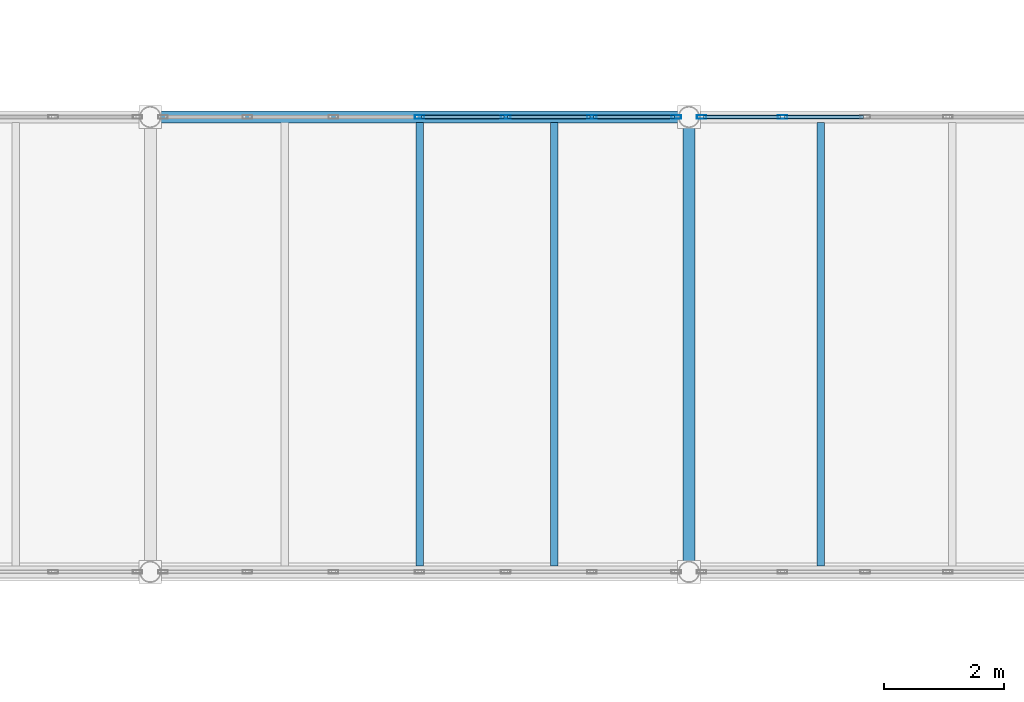
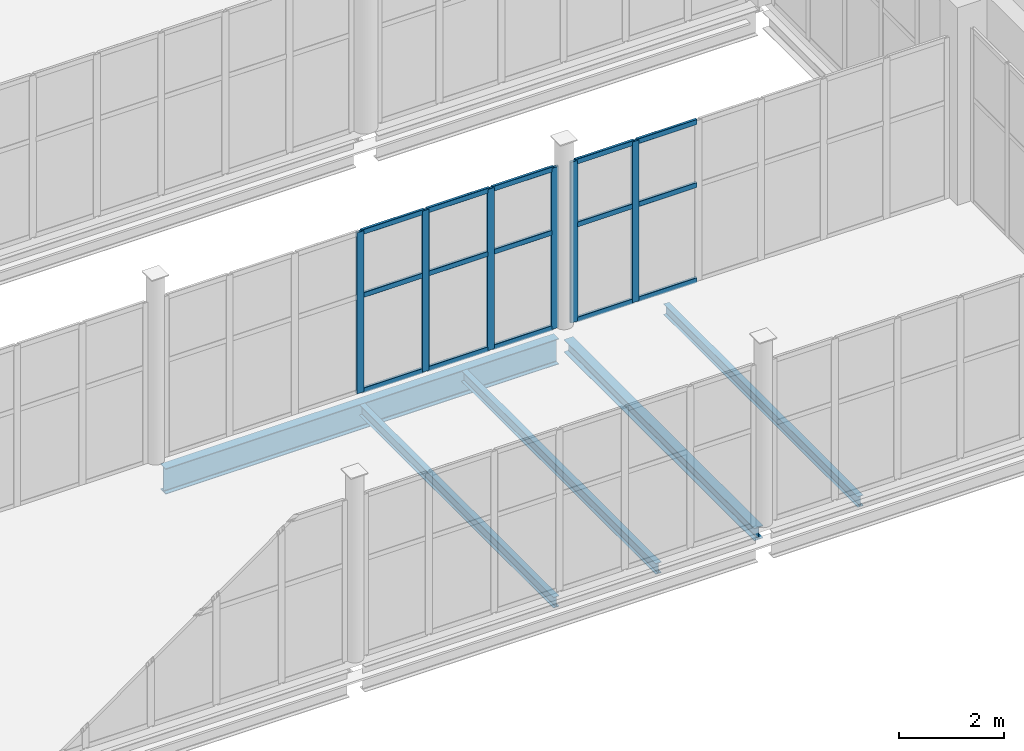
# One storey, part 107 of 172: 21 members, 5 beams, 2 elements without a shape of their own.
"""IFC4 building model written with IfcOpenShell, lengths in metres."""

from ifc_helpers import new_model, si_unit, direction, frame, origin, origin_2d, place, context, subcontext, project, spatial, hollow_rectangle, i_section, extrude, material, material_profile, profile_set, type_object, element, aggregate, save


model = new_model("IFC4")

# Units and contexts
model_context = context("Model", 3, precision=1e-05, world=origin(), true_north=direction((0.0, 1.0)))
body_context = subcontext(model_context, "Body", "Model", "MODEL_VIEW")
ifc_project = project(units=[si_unit("LENGTHUNIT", "METRE"), si_unit("AREAUNIT", "SQUARE_METRE"), si_unit("VOLUMEUNIT", "CUBIC_METRE"), si_unit("PLANEANGLEUNIT", "RADIAN"), si_unit("MASSUNIT", "GRAM", prefix="KILO")], contexts=[model_context])

# Site, building, storey
site_placement = place(None, origin())
site = spatial("IfcSite", under=ifc_project, at=site_placement, CompositionType="ELEMENT")
building_placement = place(site_placement, origin())
building = spatial("IfcBuilding", under=site, at=building_placement, Name="Shengluoqiao Park Theatre", CompositionType="ELEMENT")
storey_placement = place(building_placement, frame((0.0, 0.0, 5.39990234375)))
storey = spatial("IfcBuildingStorey", under=building, at=storey_placement, Name="L01", CompositionType="ELEMENT", Elevation=5.39990234375)

# Curtain wall, members
ifc_material_1 = material(Name="Aluminium 6063-T6", Category="aluminium")
curtain_wall_type = type_object("IfcCurtainWallType", Name="ENV-CW-BRIDGE", PredefinedType="NOTDEFINED", material=ifc_material_1)
curtain_wall_1_placement = place(storey_placement, origin())
curtain_wall_1 = element("IfcCurtainWall", 1, at=curtain_wall_1_placement, inside=storey, type_object=curtain_wall_type, Name="L01 Curtain Wall CWX-L01-0147", PredefinedType="NOTDEFINED")
ifc_material_profile_1 = material_profile(ifc_material_1, hollow_rectangle(XDim=0.06005859375, YDim=0.159912109375, WallThickness=0.00390625, InnerFilletRadius=0.00390625, OuterFilletRadius=0.008056640625, at=origin_2d()), Name="ALU MULLION 160x60x4")
ifc_profile_set_1 = profile_set([ifc_material_profile_1], Name="Aluminium 6063-T6")
member_type_1 = type_object("IfcMemberType", Name="ENV-MUL-160", PredefinedType="MULLION", material=ifc_profile_set_1)
member_1_placement = place(storey_placement, frame((143.89990234375, 60.800048828125, 0.0), z_axis=(0.0, 0.0, 1.0), x_axis=(0.0, 1.0, 0.0)))
member_1 = element("IfcMember", 2, at=member_1_placement, type_object=member_type_1, Name="CW-03 mullion 4", PredefinedType="MULLION", context=body_context, shape_type="SweptSolid", body=[
    extrude(hollow_rectangle(XDim=0.06005859375, YDim=0.159912109375, WallThickness=0.00390625, InnerFilletRadius=0.00390625, OuterFilletRadius=0.008056640625, at=origin_2d()), origin(), (0.0, 0.0, 1.0), 3.752197265625),
])
member_2_placement = place(storey_placement, frame((145.33935546875, 60.800048828125, 0.0), z_axis=(0.0, 0.0, 1.0), x_axis=(0.0, 1.0, 0.0)))
member_2 = element("IfcMember", 3, at=member_2_placement, type_object=member_type_1, Name="CW-03 mullion 5", PredefinedType="MULLION", context=body_context, shape_type="SweptSolid", body=[
    extrude(hollow_rectangle(XDim=0.06005859375, YDim=0.159912109375, WallThickness=0.00390625, InnerFilletRadius=0.00390625, OuterFilletRadius=0.008056640625, at=origin_2d()), origin(), (0.0, 0.0, 1.0), 3.752197265625),
])
member_3_placement = place(storey_placement, frame((146.778564453125, 60.800048828125, 0.0), z_axis=(0.0, 0.0, 1.0), x_axis=(0.0, 1.0, 0.0)))
member_3 = element("IfcMember", 4, at=member_3_placement, type_object=member_type_1, Name="CW-03 mullion 6", PredefinedType="MULLION", context=body_context, shape_type="SweptSolid", body=[
    extrude(hollow_rectangle(XDim=0.06005859375, YDim=0.159912109375, WallThickness=0.00390625, InnerFilletRadius=0.00390625, OuterFilletRadius=0.008056640625, at=origin_2d()), origin(), (0.0, 0.0, 1.0), 3.752197265625),
])
member_4_placement = place(storey_placement, frame((148.18798828125, 60.800048828125, 0.0), z_axis=(0.0, 0.0, 1.0), x_axis=(0.0, 1.0, 0.0)))
member_4 = element("IfcMember", 5, at=member_4_placement, type_object=member_type_1, Name="CW-03 mullion 7", PredefinedType="MULLION", context=body_context, shape_type="SweptSolid", body=[
    extrude(hollow_rectangle(XDim=0.06005859375, YDim=0.159912109375, WallThickness=0.00390625, InnerFilletRadius=0.00390625, OuterFilletRadius=0.008056640625, at=origin_2d()), origin(), (0.0, 0.0, 1.0), 3.752197265625),
])

curtain_wall_2_placement = place(storey_placement, origin())
curtain_wall_2 = element("IfcCurtainWall", 6, at=curtain_wall_2_placement, inside=storey, type_object=curtain_wall_type, Name="L01 Curtain Wall CWX-L01-0148", PredefinedType="NOTDEFINED")
member_5_placement = place(storey_placement, frame((148.612060546875, 60.800048828125, 0.0), z_axis=(0.0, 0.0, 1.0), x_axis=(0.0, 1.0, 0.0)))
member_5 = element("IfcMember", 7, at=member_5_placement, type_object=member_type_1, Name="CW-03 mullion 1", PredefinedType="MULLION", context=body_context, shape_type="SweptSolid", body=[
    extrude(hollow_rectangle(XDim=0.06005859375, YDim=0.159912109375, WallThickness=0.00390625, InnerFilletRadius=0.00390625, OuterFilletRadius=0.008056640625, at=origin_2d()), origin(), (0.0, 0.0, 1.0), 3.7421875),
])
member_6_placement = place(storey_placement, frame((149.96337890625, 60.800048828125, 0.0), z_axis=(0.0, 0.0, 1.0), x_axis=(0.0, 1.0, 0.0)))
member_6 = element("IfcMember", 8, at=member_6_placement, type_object=member_type_1, Name="CW-03 mullion 2", PredefinedType="MULLION", context=body_context, shape_type="SweptSolid", body=[
    extrude(hollow_rectangle(XDim=0.06005859375, YDim=0.159912109375, WallThickness=0.00390625, InnerFilletRadius=0.00390625, OuterFilletRadius=0.008056640625, at=origin_2d()), origin(), (0.0, 0.0, 1.0), 3.7421875),
])

# Member
ifc_material_profile_2 = material_profile(ifc_material_1, hollow_rectangle(XDim=0.06005859375, YDim=0.1201171875, WallThickness=0.00390625, InnerFilletRadius=0.00390625, OuterFilletRadius=0.008056640625, at=origin_2d()), Name="ALU TRANSOM 120x60x4")
ifc_profile_set_2 = profile_set([ifc_material_profile_2], Name="Aluminium 6063-T6")
member_type_2 = type_object("IfcMemberType", Name="ENV-TRN-120", PredefinedType="USERDEFINED", material=ifc_profile_set_2)
member_7_placement = place(storey_placement, frame((143.929931640625, 60.800048828125, 0.030029296875), z_axis=(1.0, 0.0, 0.0), x_axis=(0.0, 1.0, 0.0)))
member_7 = element("IfcMember", 9, at=member_7_placement, type_object=member_type_2, Name="CW-03 transom 4.1", ObjectType="TRANSOM", PredefinedType="USERDEFINED", context=body_context, shape_type="SweptSolid", body=[
    extrude(hollow_rectangle(XDim=0.06005859375, YDim=0.1201171875, WallThickness=0.00390625, InnerFilletRadius=0.00390625, OuterFilletRadius=0.008056640625, at=origin_2d()), origin(), (0.0, 0.0, 1.0), 1.37939453125),
])

member_8_placement = place(storey_placement, frame((143.929931640625, 60.800048828125, 2.2509765625), z_axis=(1.0, 0.0, 0.0), x_axis=(0.0, 1.0, 0.0)))
member_8 = element("IfcMember", 10, at=member_8_placement, type_object=member_type_2, Name="CW-03 transom 4.2", ObjectType="TRANSOM", PredefinedType="USERDEFINED", context=body_context, shape_type="SweptSolid", body=[
    extrude(hollow_rectangle(XDim=0.06005859375, YDim=0.1201171875, WallThickness=0.00390625, InnerFilletRadius=0.00390625, OuterFilletRadius=0.008056640625, at=origin_2d()), origin(), (0.0, 0.0, 1.0), 1.37939453125),
])

member_9_placement = place(storey_placement, frame((143.929931640625, 60.800048828125, 3.72216796875), z_axis=(1.0, 0.0, 0.0), x_axis=(0.0, 1.0, 0.0)))
member_9 = element("IfcMember", 11, at=member_9_placement, type_object=member_type_2, Name="CW-03 transom 4.3", ObjectType="TRANSOM", PredefinedType="USERDEFINED", context=body_context, shape_type="SweptSolid", body=[
    extrude(hollow_rectangle(XDim=0.06005859375, YDim=0.1201171875, WallThickness=0.00390625, InnerFilletRadius=0.00390625, OuterFilletRadius=0.008056640625, at=origin_2d()), origin(), (0.0, 0.0, 1.0), 1.37939453125),
])

member_10_placement = place(storey_placement, frame((145.369384765625, 60.800048828125, 0.030029296875), z_axis=(1.0, 0.0, 0.0), x_axis=(0.0, 1.0, 0.0)))
member_10 = element("IfcMember", 12, at=member_10_placement, type_object=member_type_2, Name="CW-03 transom 5.1", ObjectType="TRANSOM", PredefinedType="USERDEFINED", context=body_context, shape_type="SweptSolid", body=[
    extrude(hollow_rectangle(XDim=0.06005859375, YDim=0.1201171875, WallThickness=0.00390625, InnerFilletRadius=0.00390625, OuterFilletRadius=0.008056640625, at=origin_2d()), origin(), (0.0, 0.0, 1.0), 1.37939453125),
])

member_11_placement = place(storey_placement, frame((145.369384765625, 60.800048828125, 2.2509765625), z_axis=(1.0, 0.0, 0.0), x_axis=(0.0, 1.0, 0.0)))
member_11 = element("IfcMember", 13, at=member_11_placement, type_object=member_type_2, Name="CW-03 transom 5.2", ObjectType="TRANSOM", PredefinedType="USERDEFINED", context=body_context, shape_type="SweptSolid", body=[
    extrude(hollow_rectangle(XDim=0.06005859375, YDim=0.1201171875, WallThickness=0.00390625, InnerFilletRadius=0.00390625, OuterFilletRadius=0.008056640625, at=origin_2d()), origin(), (0.0, 0.0, 1.0), 1.37939453125),
])

member_12_placement = place(storey_placement, frame((145.369384765625, 60.800048828125, 3.72216796875), z_axis=(1.0, 0.0, 0.0), x_axis=(0.0, 1.0, 0.0)))
member_12 = element("IfcMember", 14, at=member_12_placement, type_object=member_type_2, Name="CW-03 transom 5.3", ObjectType="TRANSOM", PredefinedType="USERDEFINED", context=body_context, shape_type="SweptSolid", body=[
    extrude(hollow_rectangle(XDim=0.06005859375, YDim=0.1201171875, WallThickness=0.00390625, InnerFilletRadius=0.00390625, OuterFilletRadius=0.008056640625, at=origin_2d()), origin(), (0.0, 0.0, 1.0), 1.37939453125),
])

member_13_placement = place(storey_placement, frame((146.80859375, 60.800048828125, 0.030029296875), z_axis=(1.0, 0.0, 0.0), x_axis=(0.0, 1.0, 0.0)))
member_13 = element("IfcMember", 15, at=member_13_placement, type_object=member_type_2, Name="CW-03 transom 6.1", ObjectType="TRANSOM", PredefinedType="USERDEFINED", context=body_context, shape_type="SweptSolid", body=[
    extrude(hollow_rectangle(XDim=0.06005859375, YDim=0.1201171875, WallThickness=0.00390625, InnerFilletRadius=0.00390625, OuterFilletRadius=0.008056640625, at=origin_2d()), origin(), (0.0, 0.0, 1.0), 1.349365234375),
])

member_14_placement = place(storey_placement, frame((146.80859375, 60.800048828125, 2.2509765625), z_axis=(1.0, 0.0, 0.0), x_axis=(0.0, 1.0, 0.0)))
member_14 = element("IfcMember", 16, at=member_14_placement, type_object=member_type_2, Name="CW-03 transom 6.2", ObjectType="TRANSOM", PredefinedType="USERDEFINED", context=body_context, shape_type="SweptSolid", body=[
    extrude(hollow_rectangle(XDim=0.06005859375, YDim=0.1201171875, WallThickness=0.00390625, InnerFilletRadius=0.00390625, OuterFilletRadius=0.008056640625, at=origin_2d()), origin(), (0.0, 0.0, 1.0), 1.349365234375),
])

member_15_placement = place(storey_placement, frame((146.80859375, 60.800048828125, 3.72216796875), z_axis=(1.0, 0.0, 0.0), x_axis=(0.0, 1.0, 0.0)))
member_15 = element("IfcMember", 17, at=member_15_placement, type_object=member_type_2, Name="CW-03 transom 6.3", ObjectType="TRANSOM", PredefinedType="USERDEFINED", context=body_context, shape_type="SweptSolid", body=[
    extrude(hollow_rectangle(XDim=0.06005859375, YDim=0.1201171875, WallThickness=0.00390625, InnerFilletRadius=0.00390625, OuterFilletRadius=0.008056640625, at=origin_2d()), origin(), (0.0, 0.0, 1.0), 1.349365234375),
])

aggregate(curtain_wall_1, [member_1, member_2, member_3, member_4, member_7, member_8, member_9, member_10, member_11, member_12, member_13, member_14, member_15])

member_16_placement = place(storey_placement, frame((148.64208984375, 60.800048828125, 0.030029296875), z_axis=(1.0, 0.0, 0.0), x_axis=(0.0, 1.0, 0.0)))
member_16 = element("IfcMember", 18, at=member_16_placement, type_object=member_type_2, Name="CW-03 transom 1.1", ObjectType="TRANSOM", PredefinedType="USERDEFINED", context=body_context, shape_type="SweptSolid", body=[
    extrude(hollow_rectangle(XDim=0.06005859375, YDim=0.1201171875, WallThickness=0.00390625, InnerFilletRadius=0.00390625, OuterFilletRadius=0.008056640625, at=origin_2d()), origin(), (0.0, 0.0, 1.0), 1.29150390625),
])

member_17_placement = place(storey_placement, frame((148.64208984375, 60.800048828125, 2.2451171875), z_axis=(1.0, 0.0, 0.0), x_axis=(0.0, 1.0, 0.0)))
member_17 = element("IfcMember", 19, at=member_17_placement, type_object=member_type_2, Name="CW-03 transom 1.2", ObjectType="TRANSOM", PredefinedType="USERDEFINED", context=body_context, shape_type="SweptSolid", body=[
    extrude(hollow_rectangle(XDim=0.06005859375, YDim=0.1201171875, WallThickness=0.00390625, InnerFilletRadius=0.00390625, OuterFilletRadius=0.008056640625, at=origin_2d()), origin(), (0.0, 0.0, 1.0), 1.29150390625),
])

member_18_placement = place(storey_placement, frame((148.64208984375, 60.800048828125, 3.712158203125), z_axis=(1.0, 0.0, 0.0), x_axis=(0.0, 1.0, 0.0)))
member_18 = element("IfcMember", 20, at=member_18_placement, type_object=member_type_2, Name="CW-03 transom 1.3", ObjectType="TRANSOM", PredefinedType="USERDEFINED", context=body_context, shape_type="SweptSolid", body=[
    extrude(hollow_rectangle(XDim=0.06005859375, YDim=0.1201171875, WallThickness=0.00390625, InnerFilletRadius=0.00390625, OuterFilletRadius=0.008056640625, at=origin_2d()), origin(), (0.0, 0.0, 1.0), 1.29150390625),
])

member_19_placement = place(storey_placement, frame((149.993408203125, 60.800048828125, 0.030029296875), z_axis=(1.0, 0.0, 0.0), x_axis=(0.0, 1.0, 0.0)))
member_19 = element("IfcMember", 21, at=member_19_placement, type_object=member_type_2, Name="CW-03 transom 2.1", ObjectType="TRANSOM", PredefinedType="USERDEFINED", context=body_context, shape_type="SweptSolid", body=[
    extrude(hollow_rectangle(XDim=0.06005859375, YDim=0.1201171875, WallThickness=0.00390625, InnerFilletRadius=0.00390625, OuterFilletRadius=0.008056640625, at=origin_2d()), origin(), (0.0, 0.0, 1.0), 1.321533203125),
])

member_20_placement = place(storey_placement, frame((149.993408203125, 60.800048828125, 2.2451171875), z_axis=(1.0, 0.0, 0.0), x_axis=(0.0, 1.0, 0.0)))
member_20 = element("IfcMember", 22, at=member_20_placement, type_object=member_type_2, Name="CW-03 transom 2.2", ObjectType="TRANSOM", PredefinedType="USERDEFINED", context=body_context, shape_type="SweptSolid", body=[
    extrude(hollow_rectangle(XDim=0.06005859375, YDim=0.1201171875, WallThickness=0.00390625, InnerFilletRadius=0.00390625, OuterFilletRadius=0.008056640625, at=origin_2d()), origin(), (0.0, 0.0, 1.0), 1.321533203125),
])

member_21_placement = place(storey_placement, frame((149.993408203125, 60.800048828125, 3.712158203125), z_axis=(1.0, 0.0, 0.0), x_axis=(0.0, 1.0, 0.0)))
member_21 = element("IfcMember", 23, at=member_21_placement, type_object=member_type_2, Name="CW-03 transom 2.3", ObjectType="TRANSOM", PredefinedType="USERDEFINED", context=body_context, shape_type="SweptSolid", body=[
    extrude(hollow_rectangle(XDim=0.06005859375, YDim=0.1201171875, WallThickness=0.00390625, InnerFilletRadius=0.00390625, OuterFilletRadius=0.008056640625, at=origin_2d()), origin(), (0.0, 0.0, 1.0), 1.321533203125),
])

aggregate(curtain_wall_2, [member_5, member_6, member_16, member_17, member_18, member_19, member_20, member_21])

# Beams
ifc_material_2 = material(Name="Steel Q355", Category="steel")
ifc_material_profile_3 = material_profile(ifc_material_2, i_section(OverallWidth=0.199951171875, OverallDepth=0.2939453125, WebThickness=0.008056640625, FlangeThickness=0.011962890625, FilletRadius=0.01611328125, at=origin_2d()), Name="HM 294x200x8x12")
ifc_profile_set_3 = profile_set([ifc_material_profile_3], Name="Steel Q355")
beam_type_1 = type_object("IfcBeamType", Name="STR-BM-G-HM294", PredefinedType="BEAM", material=ifc_profile_set_3)
beam_1_placement = place(storey_placement, frame((148.39990234375, 53.3720703125, -0.35693359375), z_axis=(0.0, 1.0, 0.0), x_axis=(-1.0, 0.0, 0.0)))
element("IfcBeam", 24, at=beam_1_placement, inside=storey, type_object=beam_type_1, Name="L01 Transverse Girder 00598", PredefinedType="BEAM", context=body_context, shape_type="SweptSolid", body=[
    extrude(i_section(OverallWidth=0.199951171875, OverallDepth=0.2939453125, WebThickness=0.008056640625, FlangeThickness=0.011962890625, FilletRadius=0.01611328125, at=origin_2d()), origin(), (0.0, 0.0, 1.0), 7.255859375),
])
ifc_material_profile_4 = material_profile(ifc_material_2, i_section(OverallWidth=0.125, OverallDepth=0.25, WebThickness=0.006103515625, FlangeThickness=0.009033203125, FilletRadius=0.010009765625, at=origin_2d()), Name="HN 250x125x6x9")
ifc_profile_set_4 = profile_set([ifc_material_profile_4], Name="Steel Q355")
beam_type_2 = type_object("IfcBeamType", Name="STR-BM-J-HN250", PredefinedType="JOIST", material=ifc_profile_set_4)
for number, where, z_axis, x_axis, name in (
    (25, (143.89990234375, 53.29443359375, -0.3349609375), (0.0, 1.0, 0.0), (-1.0, 0.0, 0.0), "L01 Composite Joist 00632"),
    (26, (146.14990234375, 53.29443359375, -0.3349609375), (0.0, 1.0, 0.0), (-1.0, 0.0, 0.0), "L01 Composite Joist 00633"),
    (27, (150.60009765625, 53.29443359375, -0.3349609375), (0.0, 1.0, 0.0), (-1.0, 0.0, 0.0), "L01 Composite Joist 00634"),
):
    element("IfcBeam", number, at=place(storey_placement, frame(where, z_axis=z_axis, x_axis=x_axis)), inside=storey, type_object=beam_type_2, Name=name, PredefinedType="JOIST", context=body_context, shape_type="SweptSolid", body=[
        extrude(i_section(OverallWidth=0.125, OverallDepth=0.25, WebThickness=0.006103515625, FlangeThickness=0.009033203125, FilletRadius=0.010009765625, at=origin_2d()), origin(), (0.0, 0.0, 1.0), 7.4111328125),
    ])
ifc_material_profile_5 = material_profile(ifc_material_2, i_section(OverallWidth=0.198974609375, OverallDepth=0.595947265625, WebThickness=0.010009765625, FlangeThickness=0.014892578125, FilletRadius=0.02001953125, at=origin_2d()), Name="HN 596x199x10x15")
ifc_profile_set_5 = profile_set([ifc_material_profile_5], Name="Steel Q355")
beam_type_3 = type_object("IfcBeamType", Name="STR-BM-SP-HN596", PredefinedType="SPANDREL", material=ifc_profile_set_5)
beam_2_placement = place(storey_placement, frame((139.572021484375, 60.800048828125, -0.5078125), z_axis=(1.0, 0.0, 0.0), x_axis=(0.0, 1.0, 0.0)))
element("IfcBeam", 28, at=beam_2_placement, inside=storey, type_object=beam_type_3, Name="L01 Primary Girder 00585", PredefinedType="SPANDREL", context=body_context, shape_type="SweptSolid", body=[
    extrude(i_section(OverallWidth=0.198974609375, OverallDepth=0.595947265625, WebThickness=0.010009765625, FlangeThickness=0.014892578125, FilletRadius=0.02001953125, at=origin_2d()), origin(), (0.0, 0.0, 1.0), 8.656005859375),
])

save(model, "model.ifc")
